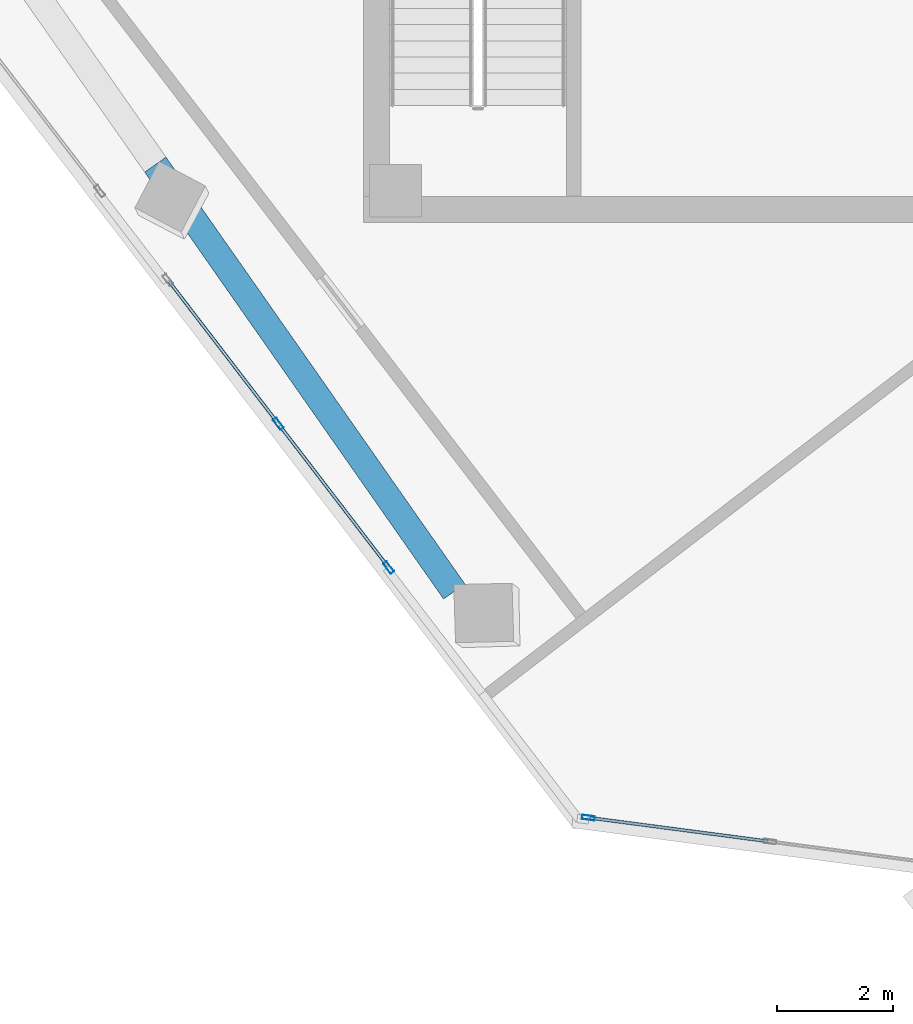
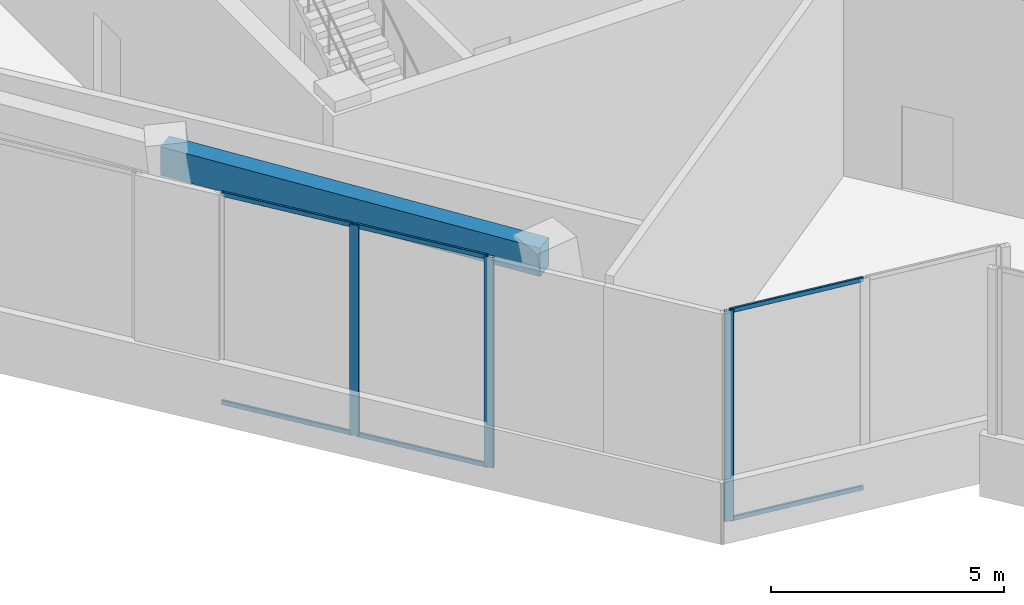
# One storey, part 2 of 19: 9 members, 1 beam, 2 elements without a shape of their own.
"""IFC4 building model written with IfcOpenShell, lengths in metres."""

from ifc_helpers import new_model, si_unit, direction, frame, origin, origin_2d, place, context, subcontext, project, spatial, rectangle, hollow_rectangle, extrude, source, transform, mapped, material, material_profile, profile_set, type_object, element, aggregate, save


model = new_model("IFC4")

# Units and contexts
model_context = context("Model", 3, precision=1e-05, world=origin(), true_north=direction((0.0, 1.0)))
body_context = subcontext(model_context, "Body", "Model", "MODEL_VIEW")
ifc_project = project(units=[si_unit("LENGTHUNIT", "METRE"), si_unit("AREAUNIT", "SQUARE_METRE"), si_unit("VOLUMEUNIT", "CUBIC_METRE"), si_unit("PLANEANGLEUNIT", "RADIAN"), si_unit("MASSUNIT", "GRAM", prefix="KILO")], contexts=[model_context])

# Site, building, storey
site_placement = place(None, origin())
site = spatial("IfcSite", under=ifc_project, at=site_placement, CompositionType="ELEMENT")
building_placement = place(site_placement, origin())
building = spatial("IfcBuilding", under=site, at=building_placement, Name="Torre Montelarca", CompositionType="ELEMENT")
storey_placement = place(building_placement, frame((0.0, 0.0, 287.800048828125)))
storey = spatial("IfcBuildingStorey", under=building, at=storey_placement, Name="L65", CompositionType="ELEMENT", Elevation=287.800048828125)

# Beam
ifc_material_1 = material(Name="Concrete C55/67", Category="concrete")
ifc_material_profile_1 = material_profile(ifc_material_1, rectangle(XDim=0.449951171875, YDim=0.75, at=origin_2d()), Name="RCB450X750", Category="concrete")
ifc_profile_set_1 = profile_set([ifc_material_profile_1], Name="Concrete C55/67")
beam_type = type_object("IfcBeamType", Name="BM-SP-RC750-EXT", PredefinedType="SPANDREL", material=ifc_profile_set_1)
shared_shape_1 = source(origin(), body_context, "Body", "SweptSolid", [
    extrude(rectangle(XDim=0.449951171875, YDim=0.75, at=origin_2d()), origin(), (0.0, 0.0, 1.0), 9.0),
])
beam_placement = place(storey_placement, frame((5.403076171875, 25.00146484375, 5.344970703125), z_axis=(0.573573395961, -0.819154173185, 0.0), x_axis=(0.819154173185, 0.573573395961, 0.0)))
element("IfcBeam", 1, at=beam_placement, inside=storey, type_object=beam_type, Name="L65 Grid Girder X 18.0-27.0 at Y=14.8", PredefinedType="SPANDREL", context=body_context, shape_type="MappedRepresentation", body=[
    mapped(shared_shape_1, transform((0.0, 0.0, 0.0), scale=1.0)),
])

# Curtain wall, members
ifc_material_2 = material(Name="Insulated low-E laminated glass", Category="glass")
curtain_wall_type = type_object("IfcCurtainWallType", Name="CW-SYS-Z3", PredefinedType="USERDEFINED", material=ifc_material_2)
curtain_wall_1_placement = place(storey_placement, origin())
curtain_wall_1 = element("IfcCurtainWall", 2, at=curtain_wall_1_placement, inside=storey, type_object=curtain_wall_type, Name="L65 Curtain Wall Run CW-T3-L65-E02-B1", ObjectType="UNITISED GLAZING", PredefinedType="USERDEFINED")
ifc_material_3 = material(Name="Anodised aluminium AA 6063-T6", Category="aluminium")
ifc_material_profile_2 = material_profile(ifc_material_3, hollow_rectangle(XDim=0.054931640625, YDim=0.1201171875, WallThickness=0.00341796875, InnerFilletRadius=0.00341796875, OuterFilletRadius=0.007080078125, at=origin_2d()), Name="ALU55X120X3.5", Category="aluminium")
ifc_profile_set_2 = profile_set([ifc_material_profile_2], Name="Anodised aluminium AA 6063-T6")
member_type_1 = type_object("IfcMemberType", Name="CWT-ALU120", PredefinedType="USERDEFINED", material=ifc_profile_set_2)
shared_shape_2 = source(origin(), body_context, "Body", "SweptSolid", [
    extrude(hollow_rectangle(XDim=0.054931640625, YDim=0.1201171875, WallThickness=0.00341796875, InnerFilletRadius=0.00341796875, OuterFilletRadius=0.007080078125, at=origin_2d()), origin(), (0.0, 0.0, 1.0), 3.08740234375),
])
member_1_placement = place(storey_placement, frame((12.91748046875, 13.718994140625, 0.02734375), z_axis=(0.99145160385, -0.130474967806, 0.0), x_axis=(0.130474967806, 0.99145160385, 0.0)))
member_1 = element("IfcMember", 3, at=member_1_placement, type_object=member_type_1, Name="CW transom 1.1", ObjectType="TRANSOM", PredefinedType="USERDEFINED", context=body_context, shape_type="MappedRepresentation", body=[
    mapped(shared_shape_2, transform((0.0, 0.0, 0.0), scale=1.0)),
])
member_2_placement = place(storey_placement, frame((12.91748046875, 13.718994140625, 5.492431640625), z_axis=(0.99145160385, -0.130474967806, 0.0), x_axis=(0.130474967806, 0.99145160385, 0.0)))
member_2 = element("IfcMember", 4, at=member_2_placement, type_object=member_type_1, Name="CW transom 1.2", ObjectType="TRANSOM", PredefinedType="USERDEFINED", context=body_context, shape_type="MappedRepresentation", body=[
    mapped(shared_shape_2, transform((0.0, 0.0, 0.0), scale=1.0)),
])

curtain_wall_2_placement = place(storey_placement, origin())
curtain_wall_2 = element("IfcCurtainWall", 5, at=curtain_wall_2_placement, inside=storey, type_object=curtain_wall_type, Name="L65 Curtain Wall Run CW-T3-L65-E01-B2", ObjectType="UNITISED GLAZING", PredefinedType="USERDEFINED")
shared_shape_3 = source(origin(), body_context, "Body", "SweptSolid", [
    extrude(hollow_rectangle(XDim=0.054931640625, YDim=0.1201171875, WallThickness=0.00341796875, InnerFilletRadius=0.00341796875, OuterFilletRadius=0.007080078125, at=origin_2d()), origin(), (0.0, 0.0, 1.0), 3.0546875),
])
member_3_placement = place(storey_placement, frame((5.645263671875, 22.97900390625, 0.02734375), z_axis=(0.608787201031, -0.793333564058, 0.0), x_axis=(0.793333564058, 0.608787201031, 0.0)))
member_3 = element("IfcMember", 6, at=member_3_placement, type_object=member_type_1, Name="CW transom 1.1", ObjectType="TRANSOM", PredefinedType="USERDEFINED", context=body_context, shape_type="MappedRepresentation", body=[
    mapped(shared_shape_3, transform((0.0, 0.0, 0.0), scale=1.0)),
])
member_4_placement = place(storey_placement, frame((5.645263671875, 22.97900390625, 5.492431640625), z_axis=(0.608787201031, -0.793333564058, 0.0), x_axis=(0.793333564058, 0.608787201031, 0.0)))
member_4 = element("IfcMember", 7, at=member_4_placement, type_object=member_type_1, Name="CW transom 1.2", ObjectType="TRANSOM", PredefinedType="USERDEFINED", context=body_context, shape_type="MappedRepresentation", body=[
    mapped(shared_shape_3, transform((0.0, 0.0, 0.0), scale=1.0)),
])
ifc_material_profile_3 = material_profile(ifc_material_3, hollow_rectangle(XDim=0.074951171875, YDim=0.219970703125, WallThickness=0.0048828125, InnerFilletRadius=0.0048828125, OuterFilletRadius=0.010009765625, at=origin_2d()), Name="ALU75X220X5", Category="aluminium")
ifc_profile_set_3 = profile_set([ifc_material_profile_3], Name="Anodised aluminium AA 6063-T6")
member_type_2 = type_object("IfcMemberType", Name="CWM-ALU220", PredefinedType="MULLION", material=ifc_profile_set_3)
shared_shape_4 = source(origin(), body_context, "Body", "SweptSolid", [
    extrude(hollow_rectangle(XDim=0.074951171875, YDim=0.219970703125, WallThickness=0.0048828125, InnerFilletRadius=0.0048828125, OuterFilletRadius=0.010009765625, at=origin_2d()), origin(), (0.0, 0.0, 1.0), 5.52001953125),
])
member_5_placement = place(storey_placement, frame((7.52783203125, 20.52587890625, 0.0), z_axis=(0.0, 0.0, 1.0), x_axis=(0.793345851553, 0.608771188398, 0.0)))
member_5 = element("IfcMember", 8, at=member_5_placement, type_object=member_type_2, Name="CW mullion 2", PredefinedType="MULLION", context=body_context, shape_type="MappedRepresentation", body=[
    mapped(shared_shape_4, transform((0.0, 0.0, 0.0), scale=1.0)),
])
member_6_placement = place(storey_placement, frame((9.43310546875, 18.04296875, 0.0), z_axis=(0.0, 0.0, 1.0), x_axis=(0.793345851553, 0.608771188398, 0.0)))
member_6 = element("IfcMember", 9, at=member_6_placement, type_object=member_type_2, Name="CW mullion 3", PredefinedType="MULLION", context=body_context, shape_type="MappedRepresentation", body=[
    mapped(shared_shape_4, transform((0.0, 0.0, 0.0), scale=1.0)),
])

# Member
member_7_placement = place(storey_placement, frame((12.880126953125, 13.72412109375, 0.0), z_axis=(0.0, 0.0, 1.0), x_axis=(0.130514735715, 0.991446369584, 0.0)))
member_7 = element("IfcMember", 10, at=member_7_placement, type_object=member_type_2, Name="CW mullion 1", PredefinedType="MULLION", context=body_context, shape_type="MappedRepresentation", body=[
    mapped(shared_shape_4, transform((0.0, 0.0, 0.0), scale=1.0)),
])

aggregate(curtain_wall_1, [member_7, member_1, member_2])

shared_shape_5 = source(origin(), body_context, "Body", "SweptSolid", [
    extrude(hollow_rectangle(XDim=0.054931640625, YDim=0.1201171875, WallThickness=0.00341796875, InnerFilletRadius=0.00341796875, OuterFilletRadius=0.007080078125, at=origin_2d()), origin(), (0.0, 0.0, 1.0), 3.054931640625),
])
member_8_placement = place(storey_placement, frame((7.550537109375, 20.49609375, 0.02734375), z_axis=(0.608748601372, -0.793363183119, 0.0), x_axis=(0.793363183119, 0.608748601372, 0.0)))
member_8 = element("IfcMember", 11, at=member_8_placement, type_object=member_type_1, Name="CW transom 2.1", ObjectType="TRANSOM", PredefinedType="USERDEFINED", context=body_context, shape_type="MappedRepresentation", body=[
    mapped(shared_shape_5, transform((0.0, 0.0, 0.0), scale=1.0)),
])

member_9_placement = place(storey_placement, frame((7.550537109375, 20.49609375, 5.492431640625), z_axis=(0.608748601372, -0.793363183119, 0.0), x_axis=(0.793363183119, 0.608748601372, 0.0)))
member_9 = element("IfcMember", 12, at=member_9_placement, type_object=member_type_1, Name="CW transom 2.2", ObjectType="TRANSOM", PredefinedType="USERDEFINED", context=body_context, shape_type="MappedRepresentation", body=[
    mapped(shared_shape_5, transform((0.0, 0.0, 0.0), scale=1.0)),
])

aggregate(curtain_wall_2, [member_5, member_6, member_3, member_4, member_8, member_9])

save(model, "model.ifc")
